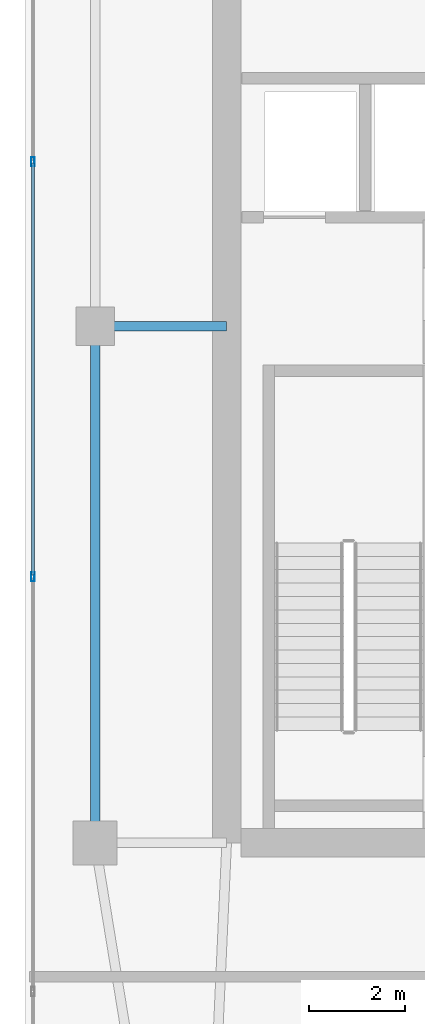
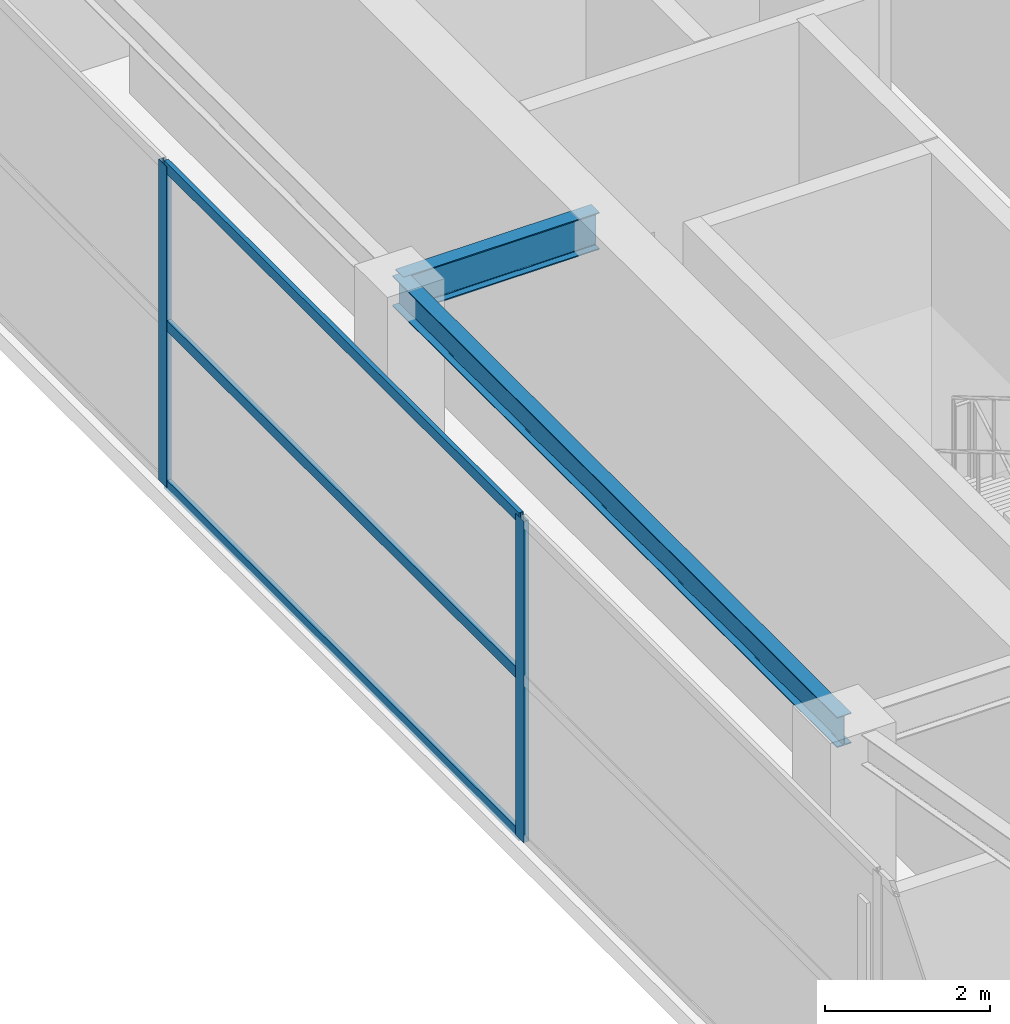
# One storey, part 10 of 21: 5 members, 2 beams, 1 element without a shape of its own.
"""IFC4 building model written with IfcOpenShell, lengths in metres."""

from ifc_helpers import new_model, si_unit, direction, frame, origin, origin_2d, place, context, subcontext, project, spatial, hollow_rectangle, i_section, extrude, material, layer, layer_set, material_profile, profile_set, type_object, element, aggregate, save


model = new_model("IFC4")

# Units and contexts
model_context = context("Model", 3, precision=1e-05, world=origin(), true_north=direction((0.0, 1.0)))
body_context = subcontext(model_context, "Body", "Model", "MODEL_VIEW")
ifc_project = project(units=[si_unit("LENGTHUNIT", "METRE"), si_unit("AREAUNIT", "SQUARE_METRE"), si_unit("VOLUMEUNIT", "CUBIC_METRE"), si_unit("PLANEANGLEUNIT", "RADIAN"), si_unit("MASSUNIT", "GRAM", prefix="KILO")], contexts=[model_context])

# Site, building, storey
site_placement = place(None, origin())
site = spatial("IfcSite", under=ifc_project, at=site_placement, CompositionType="ELEMENT")
building_placement = place(site_placement, origin())
building = spatial("IfcBuilding", under=site, at=building_placement, Name="Calvorn Quay Hotel", CompositionType="ELEMENT")
storey_placement = place(building_placement, frame((0.0, 0.0, 330.5)))
storey = spatial("IfcBuildingStorey", under=building, at=storey_placement, Name="L81", CompositionType="ELEMENT", Elevation=330.5)

# Beams
ifc_material_1 = material(Name="Steel Q355B", Category="steel")
ifc_material_profile_1 = material_profile(ifc_material_1, i_section(OverallWidth=0.199951171875, OverallDepth=0.550048828125, WebThickness=0.010009765625, FlangeThickness=0.01611328125, FilletRadius=0.01806640625, at=origin_2d()), Name="HN550x200x10x16")
ifc_profile_set_1 = profile_set([ifc_material_profile_1], Name="Steel Q355B")
beam_type_1 = type_object("IfcBeamType", Name="BM-GIRD-UPP", PredefinedType="BEAM", material=ifc_profile_set_1)
beam_1_placement = place(storey_placement, frame((1.449951171875, 27.60009765625, 4.465087890625), z_axis=(1.0, 0.0, 0.0), x_axis=(0.0, 1.0, 0.0)))
element("IfcBeam", 1, at=beam_1_placement, inside=storey, type_object=beam_type_1, Name="Beam BG-L81-W2", PredefinedType="BEAM", context=body_context, shape_type="SweptSolid", body=[
    extrude(i_section(OverallWidth=0.199951171875, OverallDepth=0.550048828125, WebThickness=0.010009765625, FlangeThickness=0.01611328125, FilletRadius=0.01806640625, at=origin_2d()), origin(), (0.0, 0.0, 1.0), 2.75),
])
ifc_material_2 = material(Name="Steel Q355B", Category="steel")
ifc_material_profile_2 = material_profile(ifc_material_2, i_section(OverallWidth=0.199951171875, OverallDepth=0.449951171875, WebThickness=0.009033203125, FlangeThickness=0.013916015625, FilletRadius=0.01611328125, at=origin_2d()), Name="HN450x200x9x14")
ifc_profile_set_2 = profile_set([ifc_material_profile_2], Name="Steel Q355B")
beam_type_2 = type_object("IfcBeamType", Name="BM-SPANDREL-Z3", PredefinedType="SPANDREL", material=ifc_profile_set_2)
beam_2_placement = place(storey_placement, frame((1.449951171875, 16.800048828125, 4.514892578125), z_axis=(0.0, 1.0, 0.0), x_axis=(-1.0, 0.0, 0.0)))
element("IfcBeam", 2, at=beam_2_placement, inside=storey, type_object=beam_type_2, Name="Beam BSP-L81-W2", PredefinedType="SPANDREL", context=body_context, shape_type="SweptSolid", body=[
    extrude(i_section(OverallWidth=0.199951171875, OverallDepth=0.449951171875, WebThickness=0.009033203125, FlangeThickness=0.013916015625, FilletRadius=0.01611328125, at=origin_2d()), origin(), (0.0, 0.0, 1.0), 10.800048828125),
])

# Curtain wall, members
ifc_material_3 = material(Name="Pale Anodised Aluminium and Laminated Glass", Category="aluminium")
ifc_layer = layer(ifc_material_3, 0.219970703125)
ifc_layer_set = layer_set([ifc_layer], Name="CW-SYS-CRN")
curtain_wall_type = type_object("IfcCurtainWallType", Name="CW-SYS-CRN", PredefinedType="NOTDEFINED", material=ifc_layer_set)
curtain_wall_placement = place(storey_placement, origin())
curtain_wall = element("IfcCurtainWall", 3, at=curtain_wall_placement, inside=storey, type_object=curtain_wall_type, Name="Crown Curtain Wall L81-C5", PredefinedType="NOTDEFINED")
ifc_material_4 = material(Name="Pale Anodised Aluminium 6063-T6", Category="aluminium")
ifc_material_profile_3 = material_profile(ifc_material_4, hollow_rectangle(XDim=0.072021484375, YDim=0.195068359375, WallThickness=0.00390625, at=origin_2d()), Name="ALU-M195x72x4")
ifc_profile_set_3 = profile_set([ifc_material_profile_3], Name="Pale Anodised Aluminium 6063-T6")
member_type_1 = type_object("IfcMemberType", Name="CW-SYS-CRN-MUL", PredefinedType="MULLION", material=ifc_profile_set_3)
member_1_placement = place(storey_placement, frame((0.14990234375, 31.035888671875, 0.0), z_axis=(0.0, 0.0, 1.0), x_axis=(1.0, 0.0, 0.0)))
member_1 = element("IfcMember", 4, at=member_1_placement, type_object=member_type_1, Name="CW-L81-C5 mullion 3", PredefinedType="MULLION", context=body_context, shape_type="SweptSolid", body=[
    extrude(hollow_rectangle(XDim=0.072021484375, YDim=0.195068359375, WallThickness=0.00390625, at=origin_2d()), origin(), (0.0, 0.0, 1.0), 4.760009765625),
])
member_2_placement = place(storey_placement, frame((0.14990234375, 22.364013671875, 0.0), z_axis=(0.0, 0.0, 1.0), x_axis=(1.0, 0.0, 0.0)))
member_2 = element("IfcMember", 5, at=member_2_placement, type_object=member_type_1, Name="CW-L81-C5 mullion 4", PredefinedType="MULLION", context=body_context, shape_type="SweptSolid", body=[
    extrude(hollow_rectangle(XDim=0.072021484375, YDim=0.195068359375, WallThickness=0.00390625, at=origin_2d()), origin(), (0.0, 0.0, 1.0), 4.760009765625),
])
ifc_material_5 = material(Name="Pale Anodised Aluminium 6063-T6", Category="aluminium")
ifc_material_profile_4 = material_profile(ifc_material_5, hollow_rectangle(XDim=0.06201171875, YDim=0.159912109375, WallThickness=0.00341796875, at=origin_2d()), Name="ALU-T160x62x3.5")
ifc_profile_set_4 = profile_set([ifc_material_profile_4], Name="Pale Anodised Aluminium 6063-T6")
member_type_2 = type_object("IfcMemberType", Name="CW-SYS-CRN-TRN", PredefinedType="USERDEFINED", material=ifc_profile_set_4)
member_3_placement = place(storey_placement, frame((0.14990234375, 31.006103515625, 0.030029296875), z_axis=(0.0, -1.0, 0.0), x_axis=(1.0, 0.0, 0.0)))
member_3 = element("IfcMember", 6, at=member_3_placement, type_object=member_type_2, Name="CW-L81-C5 transom 3.1", ObjectType="TRANSOM", PredefinedType="USERDEFINED", context=body_context, shape_type="SweptSolid", body=[
    extrude(hollow_rectangle(XDim=0.06201171875, YDim=0.159912109375, WallThickness=0.00341796875, at=origin_2d()), origin(), (0.0, 0.0, 1.0), 8.612060546875),
])
member_4_placement = place(storey_placement, frame((0.14990234375, 31.006103515625, 2.39990234375), z_axis=(0.0, -1.0, 0.0), x_axis=(1.0, 0.0, 0.0)))
member_4 = element("IfcMember", 7, at=member_4_placement, type_object=member_type_2, Name="CW-L81-C5 transom 3.2", ObjectType="TRANSOM", PredefinedType="USERDEFINED", context=body_context, shape_type="SweptSolid", body=[
    extrude(hollow_rectangle(XDim=0.06201171875, YDim=0.159912109375, WallThickness=0.00341796875, at=origin_2d()), origin(), (0.0, 0.0, 1.0), 8.612060546875),
])
member_5_placement = place(storey_placement, frame((0.14990234375, 31.006103515625, 4.72998046875), z_axis=(0.0, -1.0, 0.0), x_axis=(1.0, 0.0, 0.0)))
member_5 = element("IfcMember", 8, at=member_5_placement, type_object=member_type_2, Name="CW-L81-C5 transom 3.3", ObjectType="TRANSOM", PredefinedType="USERDEFINED", context=body_context, shape_type="SweptSolid", body=[
    extrude(hollow_rectangle(XDim=0.06201171875, YDim=0.159912109375, WallThickness=0.00341796875, at=origin_2d()), origin(), (0.0, 0.0, 1.0), 8.612060546875),
])
aggregate(curtain_wall, [member_1, member_2, member_3, member_4, member_5])

save(model, "model.ifc")
